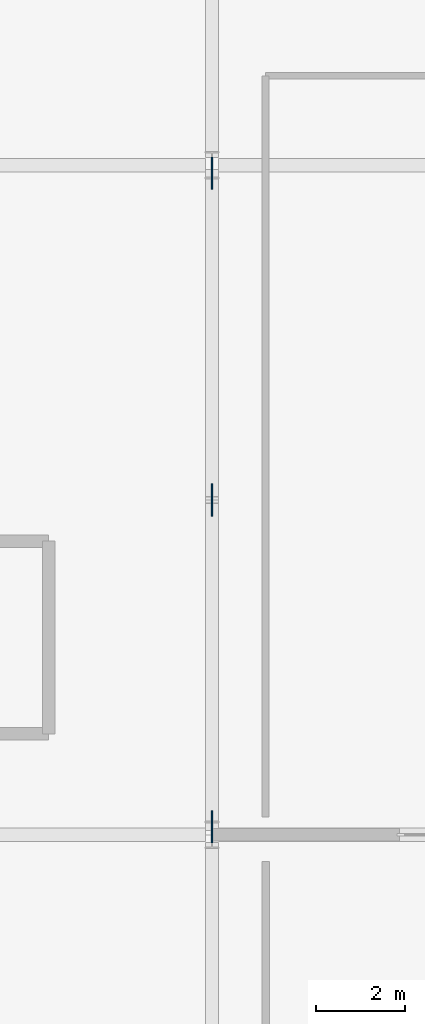
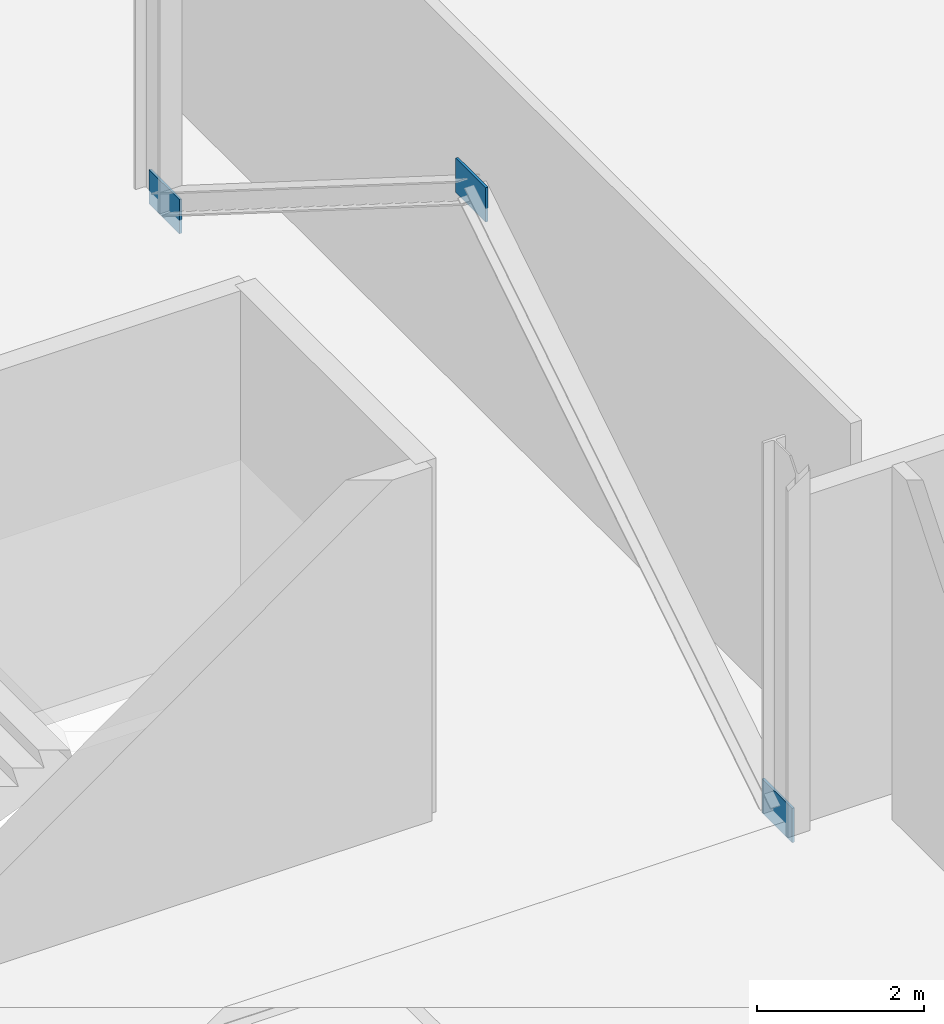
# One storey, part 59 of 87: 3 plates.
"""IFC4 building model written with IfcOpenShell, lengths in metres."""

from ifc_helpers import new_model, si_unit, direction, frame, origin, origin_2d, place, context, subcontext, project, spatial, rectangle, extrude, material, layer, layer_set, type_object, element, save


model = new_model("IFC4")

# Units and contexts
model_context = context("Model", 3, precision=1e-05, world=origin(), true_north=direction((0.0, 1.0)))
body_context = subcontext(model_context, "Body", "Model", "MODEL_VIEW")
ifc_project = project(units=[si_unit("LENGTHUNIT", "METRE"), si_unit("AREAUNIT", "SQUARE_METRE"), si_unit("VOLUMEUNIT", "CUBIC_METRE"), si_unit("PLANEANGLEUNIT", "RADIAN"), si_unit("MASSUNIT", "GRAM", prefix="KILO")], contexts=[model_context])

# Site, building, storey
site_placement = place(None, origin())
site = spatial("IfcSite", under=ifc_project, at=site_placement, CompositionType="ELEMENT")
building_placement = place(site_placement, origin())
building = spatial("IfcBuilding", under=site, at=building_placement, Name="Kimbaza Rail Terminus", CompositionType="ELEMENT")
storey_placement = place(building_placement, origin())
storey = spatial("IfcBuildingStorey", under=building, at=storey_placement, Name="L00", CompositionType="ELEMENT", Elevation=0.0)

# Plates
ifc_material = material(Name="Steel S355", Category="steel")
ifc_layer = layer(ifc_material, 0.034912109375)
ifc_layer_set = layer_set([ifc_layer], Name="Steel S355")
plate_type = type_object("IfcPlateType", Name="STR-PL-WT01", PredefinedType="USERDEFINED", material=ifc_layer_set)
for number, where, z_axis, x_axis, name in (
    (1, (139.199951171875, 103.179931640625, -0.199951171875), (0.0, 0.0, 1.0), (1.0, 0.0, 0.0), "Chevron Brace Gusset Plate GP-01 5-S"),
    (2, (139.199951171875, 110.5, 4.409912109375), (0.0, 0.0, 1.0), (1.0, 0.0, 0.0), "Chevron Brace Gusset Plate GP-01 5-M"),
    (3, (139.199951171875, 117.820068359375, -0.199951171875), (0.0, 0.0, 1.0), (1.0, 0.0, 0.0), "Chevron Brace Gusset Plate GP-01 5-N"),
):
    element("IfcPlate", number, at=place(storey_placement, frame(where, z_axis=z_axis, x_axis=x_axis)), inside=storey, type_object=plate_type, Name=name, ObjectType="GUSSET PLATE", PredefinedType="USERDEFINED", context=body_context, shape_type="SweptSolid", body=[
        extrude(rectangle(XDim=0.034912109375, YDim=0.719970703125, at=origin_2d()), origin(), (0.0, 0.0, 1.0), 0.5),
    ])

save(model, "model.ifc")
